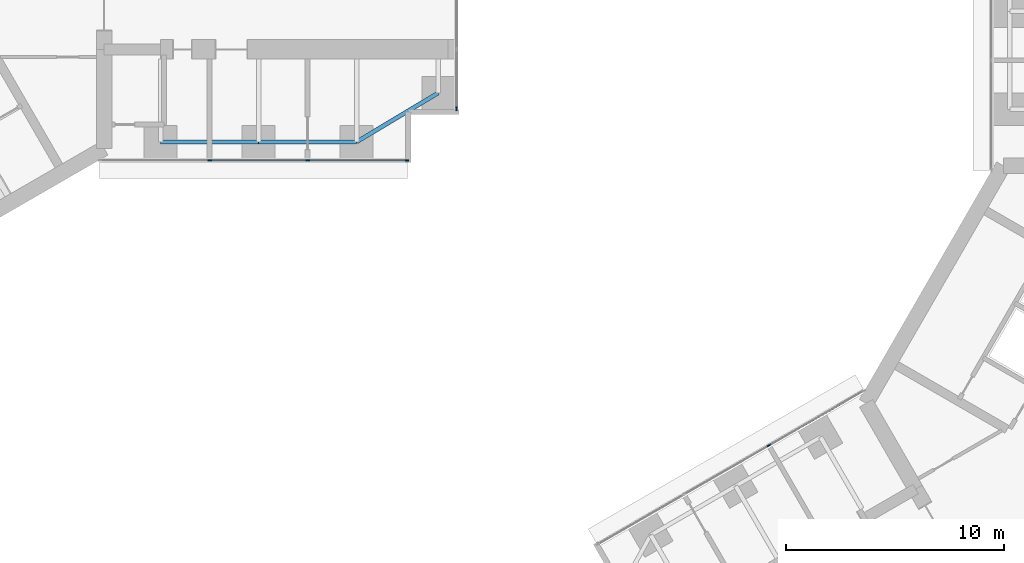
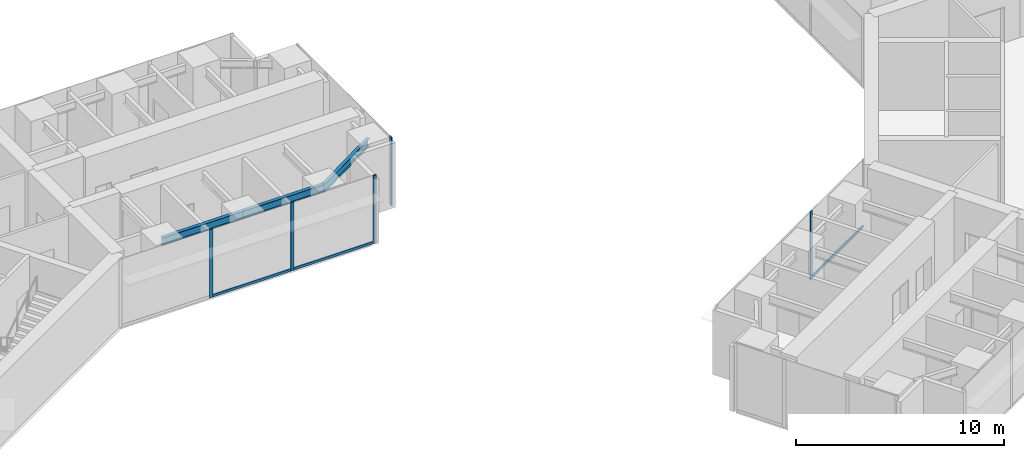
# One storey, part 5 of 22: 8 members, 3 beams, 3 elements without a shape of their own.
"""IFC4 building model written with IfcOpenShell, lengths in metres."""

import ifcopenshell
import ifcopenshell.guid

model = None  # the IFC model being written
_history = None  # IfcOwnerHistory: only IFC2X3 demands one
_inside = {}  # id of a spatial element -> (the spatial element, [elements in it])
_under = {}  # id of a project, library or spatial element -> (it, [spatial elements below it])
_declared = {}  # id of a project -> (the project, [libraries it declares])
_typed = {}  # id of a type object -> (the type object, [elements of that type])
_made_of = {}  # id of a material, layer set ... -> (it, [elements and type objects made of it])


def new_model(schema):
    """Start an empty IFC model of exactly this schema.

    Asked for "IFC4X3", IfcOpenShell would pick the latest addendum, in which some entities
    have other attributes; the version numbers below select the first issue.
    IFC2X3 requires an IfcOwnerHistory on every rooted entity: one is made here for all.
    """
    global model, _history
    if schema == "IFC4X3":
        model = ifcopenshell.file(schema_version=(4, 3, 0, 0))
    else:
        model = ifcopenshell.file(schema=schema)
    _inside.clear()
    _under.clear()
    _declared.clear()
    _typed.clear()
    _made_of.clear()
    _history = None
    if model.schema == "IFC2X3":
        org = make("IfcOrganization", Name="unknown")
        user = make(
            "IfcPersonAndOrganization",
            ThePerson=make("IfcPerson", FamilyName="unknown"),
            TheOrganization=org,
        )
        app = make(
            "IfcApplication",
            ApplicationDeveloper=org,
            Version="unknown",
            ApplicationFullName="unknown",
            ApplicationIdentifier="unknown",
        )
        _history = make(
            "IfcOwnerHistory",
            OwningUser=user,
            OwningApplication=app,
            ChangeAction="ADDED",
            CreationDate=0,
        )
    return model


def make(cls, **values):
    """One entity of the class cls with the attributes given. An attribute that is None is left unset."""
    return model.create_entity(
        cls, **{name: value for name, value in values.items() if value is not None}
    )


def rooted(cls, **values):
    """An entity with a GlobalId (a new one), such as an element, a storey or a relation."""
    return make(cls, GlobalId=ifcopenshell.guid.new(), OwnerHistory=_history, **values)


def si_unit(unit_type, name, prefix=None):
    """IfcSIUnit, for example si_unit("LENGTHUNIT", "METRE", prefix="MILLI")."""
    return make("IfcSIUnit", UnitType=unit_type, Prefix=prefix, Name=name)


def assignment(units):
    """IfcUnitAssignment: the units of a project."""
    return None if units is None else make("IfcUnitAssignment", Units=units)


def point(xyz):
    """IfcCartesianPoint."""
    return None if xyz is None else make("IfcCartesianPoint", Coordinates=xyz)


def direction(xyz):
    """IfcDirection."""
    return None if xyz is None else make("IfcDirection", DirectionRatios=xyz)


def frame(location, z_axis=None, x_axis=None):
    """IfcAxis2Placement3D, a coordinate frame: its origin and axes. An axis left out is left unset."""
    return make(
        "IfcAxis2Placement3D",
        Location=point(location),
        Axis=direction(z_axis),
        RefDirection=direction(x_axis),
    )


def frame_2d(location, x_axis=None):
    """IfcAxis2Placement2D, a coordinate frame in the plane: its origin and x axis."""
    return make(
        "IfcAxis2Placement2D", Location=point(location), RefDirection=direction(x_axis)
    )


def origin():
    """The frame at (0, 0, 0) with its axes left unset."""
    return frame((0.0, 0.0, 0.0))


def origin_2d():
    """The frame at (0, 0) in the plane with its x axis left unset."""
    return frame_2d((0.0, 0.0))


def place(relative_to, where):
    """IfcLocalPlacement: puts the frame where relative to a parent placement (None: the world)."""
    return make(
        "IfcLocalPlacement", PlacementRelTo=relative_to, RelativePlacement=where
    )


def context(
    kind, dimensions, precision=None, world=None, true_north=None, identifier=None
):
    """IfcGeometricRepresentationContext, for example the 3D "Model" context."""
    return make(
        "IfcGeometricRepresentationContext",
        ContextIdentifier=identifier,
        ContextType=kind,
        CoordinateSpaceDimension=dimensions,
        Precision=precision,
        WorldCoordinateSystem=world,
        TrueNorth=true_north,
    )


def subcontext(parent, identifier, kind, view, scale=None):
    """IfcGeometricRepresentationSubContext, for example "Body" below "Model"."""
    return make(
        "IfcGeometricRepresentationSubContext",
        ContextIdentifier=identifier,
        ContextType=kind,
        ParentContext=parent,
        TargetScale=scale,
        TargetView=view,
    )


def project(units=None, contexts=None):
    """IfcProject with its units and contexts."""
    return rooted(
        "IfcProject",
        Name="project",
        RepresentationContexts=contexts,
        UnitsInContext=assignment(units),
    )


def spatial(cls, under=None, at=None, **own):
    """A site, building, storey or space (cls), placed at a placement, below another one or the project."""
    s = rooted(cls, ObjectPlacement=at, **own)
    if under is not None:
        _under.setdefault(under.id(), (under, []))[1].append(s)
    return s


def profile(cls, at=None, kind="AREA", **sizes):
    """A parametric profile (cls). Its sizes go by their IFC names, for example OverallWidth=200.0."""
    return make(cls, ProfileType=kind, Position=at, **sizes)


def rectangle(**sizes):
    """IfcRectangleProfileDef."""
    return profile("IfcRectangleProfileDef", **sizes)


def i_section(**sizes):
    """IfcIShapeProfileDef."""
    return profile("IfcIShapeProfileDef", **sizes)


def extrude(swept, where, along, depth):
    """IfcExtrudedAreaSolid: the profile swept, set in the frame where, extruded along a direction by depth."""
    return make(
        "IfcExtrudedAreaSolid",
        SweptArea=swept,
        Position=where,
        ExtrudedDirection=direction(along),
        Depth=depth,
    )


def shape(context_of_items, identifier, shape_type, items):
    """IfcShapeRepresentation: the items that make up one representation, for example the "Body"."""
    return make(
        "IfcShapeRepresentation",
        ContextOfItems=context_of_items,
        RepresentationIdentifier=identifier,
        RepresentationType=shape_type,
        Items=items,
    )


def material(Name=None, Category=None):
    """IfcMaterial."""
    return make("IfcMaterial", Name=Name, Category=Category)


def material_profile(
    of_material, cross_section, Name=None, Category=None, Priority=None
):
    """IfcMaterialProfile: a cross section and its material."""
    return make(
        "IfcMaterialProfile",
        Name=Name,
        Material=of_material,
        Profile=cross_section,
        Priority=Priority,
        Category=Category,
    )


def profile_set(profiles, Name=None, composite=None):
    """IfcMaterialProfileSet."""
    return make(
        "IfcMaterialProfileSet",
        Name=Name,
        MaterialProfiles=profiles,
        CompositeProfile=composite,
    )


def made_of(thing, what):
    """Note that an element or type object is made of a material, layer set ...; save() writes the relation."""
    if what is not None:
        _made_of.setdefault(what.id(), (what, []))[1].append(thing)
    return thing


def type_object(cls, material=None, **own):
    """A type object (cls), such as IfcWallType, which elements share."""
    return made_of(rooted(cls, **own), material)


def element(
    cls,
    number,
    at=None,
    inside=None,
    cuts=None,
    type_object=None,
    material=None,
    context=None,
    identifier="Body",
    shape_type=None,
    held_by="IfcProductDefinitionShape",
    body=None,
    shapes=None,
    **own,
):
    """One element of the class cls, such as IfcWall. Its Tag is "e" and its number.

    at: its placement. inside: the storey or other place that contains it. cuts: it is an
    opening in that element (IfcRelVoidsElement). A single representation is given by context,
    identifier, shape_type and body (its items); several are given by shapes. held_by: the class
    of the entity that holds the representations. save() writes the other relations.
    """
    e = rooted(cls, Tag="e%d" % number, ObjectPlacement=at, **own)
    if body is not None:
        shapes = [shape(context, identifier, shape_type, body)]
    if shapes is not None:
        e.Representation = make(held_by, Representations=shapes)
    if inside is not None:
        _inside.setdefault(inside.id(), (inside, []))[1].append(e)
    if cuts is not None:
        rooted(
            "IfcRelVoidsElement", RelatingBuildingElement=cuts, RelatedOpeningElement=e
        )
    if type_object is not None:
        _typed.setdefault(type_object.id(), (type_object, []))[1].append(e)
    return made_of(e, material)


def aggregate(whole, parts):
    """IfcRelAggregates: a whole, such as a stair, and the parts it consists of."""
    return rooted("IfcRelAggregates", RelatingObject=whole, RelatedObjects=parts)


def save(model, path):
    """Write the relations noted so far, then the file.

    IfcRelAggregates (storeys below a building ...), IfcRelContainedInSpatialStructure (elements
    in a storey), IfcRelDefinesByType, IfcRelAssociatesMaterial and IfcRelDeclares: one each for
    every whole, place, type object, material and project.
    """
    for whole, parts in _under.values():
        aggregate(whole, parts)
    for where, things in _inside.values():
        rooted(
            "IfcRelContainedInSpatialStructure",
            RelatedElements=things,
            RelatingStructure=where,
        )
    for kind, things in _typed.values():
        rooted("IfcRelDefinesByType", RelatedObjects=things, RelatingType=kind)
    for what, things in _made_of.values():
        rooted("IfcRelAssociatesMaterial", RelatedObjects=things, RelatingMaterial=what)
    for by, libraries in _declared.values():
        rooted("IfcRelDeclares", RelatingContext=by, RelatedDefinitions=libraries)
    model.write(path)


model = new_model("IFC4")

# Units and contexts
model_context = context("Model", 3, precision=1e-05, world=origin(), true_north=direction((0.0, 1.0)))
body_context = subcontext(model_context, "Body", "Model", "MODEL_VIEW")
ifc_project = project(units=[si_unit("LENGTHUNIT", "METRE"), si_unit("AREAUNIT", "SQUARE_METRE"), si_unit("VOLUMEUNIT", "CUBIC_METRE"), si_unit("PLANEANGLEUNIT", "RADIAN"), si_unit("MASSUNIT", "GRAM", prefix="KILO")], contexts=[model_context])

# Site, building, storey
site_placement = place(None, origin())
site = spatial("IfcSite", under=ifc_project, at=site_placement, CompositionType="ELEMENT")
building_placement = place(site_placement, origin())
building = spatial("IfcBuilding", under=site, at=building_placement, Name="Upepo Twin Towers", CompositionType="ELEMENT")
storey_placement = place(building_placement, frame((0.0, 0.0, 36.5)))
storey = spatial("IfcBuildingStorey", under=building, at=storey_placement, Name="L08", CompositionType="ELEMENT", Elevation=36.5)

# Beams
ifc_material_1 = material(Name="Steel S355", Category="steel")
ifc_material_profile_1 = material_profile(ifc_material_1, i_section(OverallWidth=0.1904296875, OverallDepth=0.45703125, WebThickness=0.009033203125, FlangeThickness=0.014404296875, FilletRadius=0.01025390625, at=origin_2d()), Name="UB 457x191x74")
ifc_profile_set_1 = profile_set([ifc_material_profile_1], Name="Steel S355")
beam_type = type_object("IfcBeamType", Name="Beam UB 457x191x74", PredefinedType="BEAM", material=ifc_profile_set_1)
for number, where, z_axis, x_axis, name in (
    (1, (13.5, -6.0, 3.571533203125), (1.0, 0.0, 0.0), (0.0, 1.0, 0.0), "T1 edge beam AR 13.5-18.0"),
    (2, (18.0, -6.0, 3.571533203125), (1.0, 0.0, 0.0), (0.0, 1.0, 0.0), "T1 edge beam AR 18.0-22.5"),
):
    element("IfcBeam", number, at=place(storey_placement, frame(where, z_axis=z_axis, x_axis=x_axis)), inside=storey, type_object=beam_type, Name=name, PredefinedType="BEAM", context=body_context, shape_type="SweptSolid", body=[
        extrude(i_section(OverallWidth=0.1904296875, OverallDepth=0.45703125, WebThickness=0.009033203125, FlangeThickness=0.014404296875, FilletRadius=0.01025390625, at=origin_2d()), origin(), (0.0, 0.0, 1.0), 4.5),
    ])
beam_placement = place(storey_placement, frame((22.5, -6.0, 3.571533203125), z_axis=(0.857492925713, 0.514495755428, 0.0), x_axis=(-0.514495755428, 0.857492925713, 0.0)))
element("IfcBeam", 3, at=beam_placement, inside=storey, type_object=beam_type, Name="T1 nose edge beam AR", PredefinedType="BEAM", context=body_context, shape_type="SweptSolid", body=[
    extrude(i_section(OverallWidth=0.1904296875, OverallDepth=0.45703125, WebThickness=0.009033203125, FlangeThickness=0.014404296875, FilletRadius=0.01025390625, at=origin_2d()), origin(), (0.0, 0.0, 1.0), 4.373291015625),
])

# Curtain wall, members
ifc_material_2 = material(Name="Aluminium and fritted glass", Category="aluminium")
curtain_wall_type = type_object("IfcCurtainWallType", Name="Tower curtain wall TW1, fritted glass", PredefinedType="NOTDEFINED", material=ifc_material_2)
curtain_wall_1_placement = place(storey_placement, origin())
curtain_wall_1 = element("IfcCurtainWall", 4, at=curtain_wall_1_placement, inside=storey, type_object=curtain_wall_type, Name="T1 L08 wing A flank R curtain wall", PredefinedType="NOTDEFINED")
ifc_material_3 = material(Name="Aluminium mullion", Category="aluminium")
ifc_material_profile_2 = material_profile(ifc_material_3, rectangle(XDim=0.06494140625, YDim=0.179931640625, at=origin_2d()), Name="MULLION 65x180")
ifc_profile_set_2 = profile_set([ifc_material_profile_2], Name="Aluminium mullion")
member_type_1 = type_object("IfcMemberType", Name="Mullion 65x180 TW1", PredefinedType="MULLION", material=ifc_profile_set_2)
member_1_placement = place(storey_placement, frame((24.8173828125, -6.85009765625, 0.0), z_axis=(0.0, 0.0, 1.0), x_axis=(0.0, -1.0, 0.0)))
member_1 = element("IfcMember", 5, at=member_1_placement, type_object=member_type_1, Name="T1 L08 wing A flank R curtain wall mullion 1", PredefinedType="MULLION", context=body_context, shape_type="SweptSolid", body=[
    extrude(rectangle(XDim=0.06494140625, YDim=0.179931640625, at=origin_2d()), origin(), (0.0, 0.0, 1.0), 4.0),
])
member_2_placement = place(storey_placement, frame((20.25, -6.85009765625, 0.0), z_axis=(0.0, 0.0, 1.0), x_axis=(0.0, -1.0, 0.0)))
member_2 = element("IfcMember", 6, at=member_2_placement, type_object=member_type_1, Name="T1 L08 wing A flank R curtain wall mullion 2", PredefinedType="MULLION", context=body_context, shape_type="SweptSolid", body=[
    extrude(rectangle(XDim=0.06494140625, YDim=0.179931640625, at=origin_2d()), origin(), (0.0, 0.0, 1.0), 4.0),
])
member_3_placement = place(storey_placement, frame((15.75, -6.85009765625, 0.0), z_axis=(0.0, 0.0, 1.0), x_axis=(0.0, -1.0, 0.0)))
member_3 = element("IfcMember", 7, at=member_3_placement, type_object=member_type_1, Name="T1 L08 wing A flank R curtain wall mullion 3", PredefinedType="MULLION", context=body_context, shape_type="SweptSolid", body=[
    extrude(rectangle(XDim=0.06494140625, YDim=0.179931640625, at=origin_2d()), origin(), (0.0, 0.0, 1.0), 4.0),
])

# Curtain wall, member
curtain_wall_2_placement = place(storey_placement, origin())
curtain_wall_2 = element("IfcCurtainWall", 8, at=curtain_wall_2_placement, inside=storey, type_object=curtain_wall_type, Name="T1 L08 wing A nose curtain wall", PredefinedType="NOTDEFINED")
member_4_placement = place(storey_placement, frame((27.10009765625, -4.467529296875, 0.0), z_axis=(0.0, 0.0, 1.0), x_axis=(-1.0, 0.0, 0.0)))
member_4 = element("IfcMember", 9, at=member_4_placement, type_object=member_type_1, Name="T1 L08 wing A nose curtain wall mullion 1", PredefinedType="MULLION", context=body_context, shape_type="SweptSolid", body=[
    extrude(rectangle(XDim=0.06494140625, YDim=0.179931640625, at=origin_2d()), origin(), (0.0, 0.0, 1.0), 4.0),
])
aggregate(curtain_wall_2, [member_4])

curtain_wall_3_placement = place(storey_placement, origin())
curtain_wall_3 = element("IfcCurtainWall", 10, at=curtain_wall_3_placement, inside=storey, type_object=curtain_wall_type, Name="T2 L08 wing B flank R curtain wall", PredefinedType="NOTDEFINED")
member_5_placement = place(storey_placement, frame((41.43505859375, -19.942626953125, 0.0), z_axis=(0.0, 0.0, 1.0), x_axis=(-0.500000024426, 0.866025389682, 0.0)))
member_5 = element("IfcMember", 11, at=member_5_placement, type_object=member_type_1, Name="T2 L08 wing B flank R curtain wall mullion 3", PredefinedType="MULLION", context=body_context, shape_type="SweptSolid", body=[
    extrude(rectangle(XDim=0.06494140625, YDim=0.179931640625, at=origin_2d()), origin(), (0.0, 0.0, 1.0), 4.0),
])

# Member
ifc_material_4 = material(Name="Aluminium transom", Category="aluminium")
ifc_material_profile_3 = material_profile(ifc_material_4, rectangle(XDim=0.06494140625, YDim=0.14990234375, at=origin_2d()), Name="TRANSOM 65x150")
ifc_profile_set_3 = profile_set([ifc_material_profile_3], Name="Aluminium transom")
member_type_2 = type_object("IfcMemberType", Name="Transom 65x150 TW1", PredefinedType="USERDEFINED", material=ifc_profile_set_3)
member_6_placement = place(storey_placement, frame((24.784912109375, -6.85009765625, 0.074951171875), z_axis=(-1.0, 0.0, 0.0), x_axis=(0.0, -1.0, 0.0)))
member_6 = element("IfcMember", 12, at=member_6_placement, type_object=member_type_2, Name="T1 L08 wing A flank R curtain wall transom 1", ObjectType="TRANSOM", PredefinedType="USERDEFINED", context=body_context, shape_type="SweptSolid", body=[
    extrude(rectangle(XDim=0.06494140625, YDim=0.14990234375, at=origin_2d()), origin(), (0.0, 0.0, 1.0), 4.50244140625),
])

member_7_placement = place(storey_placement, frame((20.217529296875, -6.85009765625, 0.074951171875), z_axis=(-1.0, 0.0, 0.0), x_axis=(0.0, -1.0, 0.0)))
member_7 = element("IfcMember", 13, at=member_7_placement, type_object=member_type_2, Name="T1 L08 wing A flank R curtain wall transom 2", ObjectType="TRANSOM", PredefinedType="USERDEFINED", context=body_context, shape_type="SweptSolid", body=[
    extrude(rectangle(XDim=0.06494140625, YDim=0.14990234375, at=origin_2d()), origin(), (0.0, 0.0, 1.0), 4.43505859375),
])

aggregate(curtain_wall_1, [member_1, member_2, member_3, member_6, member_7])

member_8_placement = place(storey_placement, frame((41.463134765625, -19.926513671875, 0.074951171875), z_axis=(0.866034933967, 0.499983492876, 0.0), x_axis=(-0.499983492876, 0.866034933967, 0.0)))
member_8 = element("IfcMember", 14, at=member_8_placement, type_object=member_type_2, Name="T2 L08 wing B flank R curtain wall transom 3", ObjectType="TRANSOM", PredefinedType="USERDEFINED", context=body_context, shape_type="SweptSolid", body=[
    extrude(rectangle(XDim=0.06494140625, YDim=0.14990234375, at=origin_2d()), origin(), (0.0, 0.0, 1.0), 4.965576171875),
])

aggregate(curtain_wall_3, [member_5, member_8])

save(model, "model.ifc")
